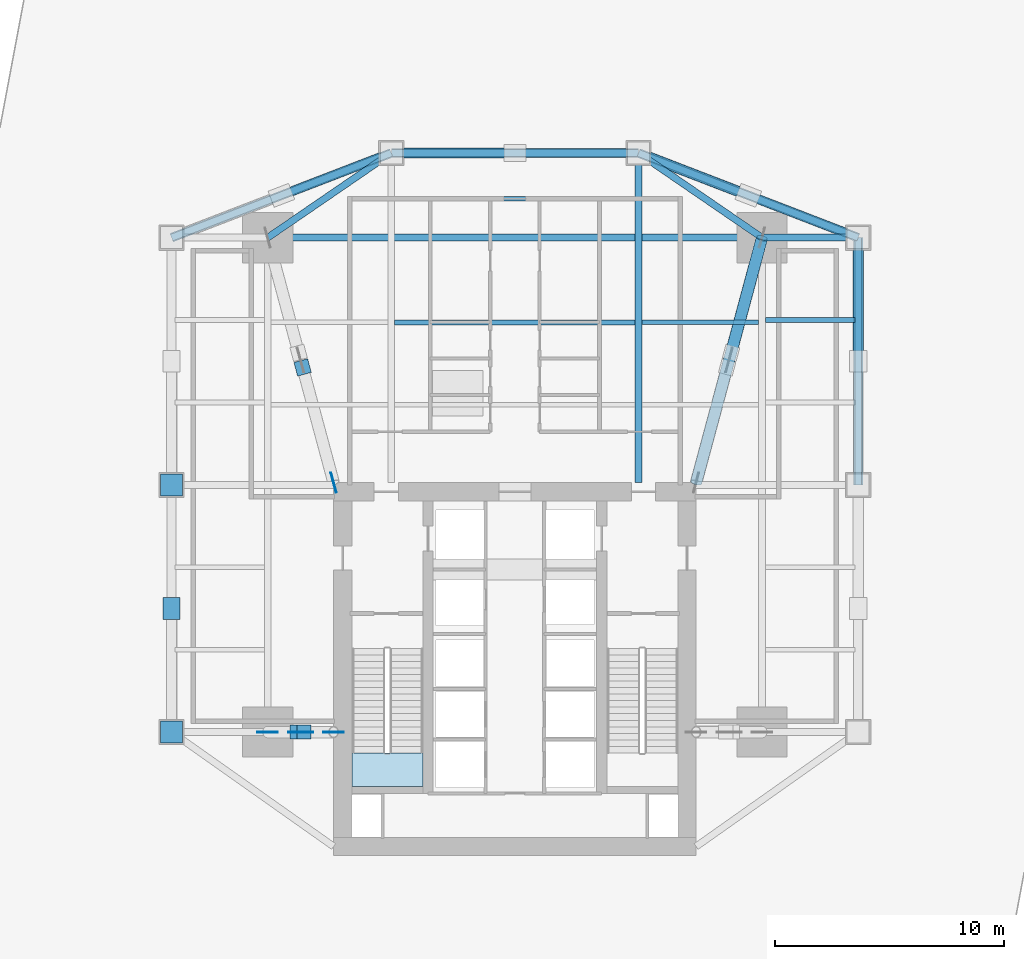
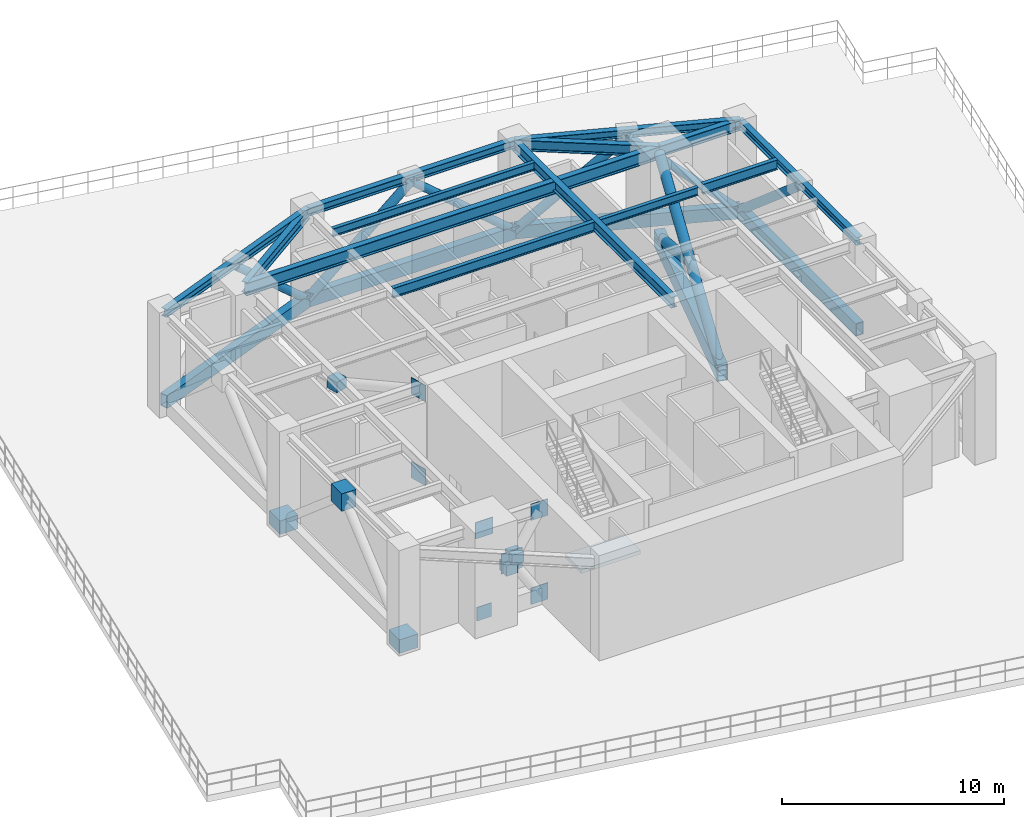
# One storey, part 2 of 10: 14 beams, 13 plates, 12 members, 1 slab, 1 element without a shape of its own.
"""IFC4 building model written with IfcOpenShell, lengths in metres."""

from ifc_helpers import new_model, si_unit, direction, frame, origin, origin_2d, place, context, subcontext, project, spatial, polyline, rectangle, hollow_rectangle, hollow_circle, i_section, outline, extrude, source, transform, mapped, material, layer, layer_set, material_profile, profile_set, type_object, type_shapes, element, aggregate, save


model = new_model("IFC4")

# Units and contexts
model_context = context("Model", 3, precision=1e-05, world=origin(), true_north=direction((0.0, 1.0)))
body_context = subcontext(model_context, "Body", "Model", "MODEL_VIEW")
ifc_project = project(units=[si_unit("LENGTHUNIT", "METRE"), si_unit("AREAUNIT", "SQUARE_METRE"), si_unit("VOLUMEUNIT", "CUBIC_METRE"), si_unit("PLANEANGLEUNIT", "RADIAN"), si_unit("MASSUNIT", "GRAM", prefix="KILO")], contexts=[model_context])

# Site, building, storey
site_placement = place(None, origin())
site = spatial("IfcSite", under=ifc_project, at=site_placement, CompositionType="ELEMENT")
building_placement = place(site_placement, origin())
building = spatial("IfcBuilding", under=site, at=building_placement, Name="Krantzveldt Concourse Tower", CompositionType="ELEMENT")
storey_placement = place(building_placement, frame((0.0, 0.0, 80.300048828125)))
storey = spatial("IfcBuildingStorey", under=building, at=storey_placement, Name="L19", CompositionType="ELEMENT", Elevation=80.300048828125)

# Beams
ifc_material_1 = material(Name="Steel S355J2", Category="steel")
ifc_material_profile_1 = material_profile(ifc_material_1, i_section(OverallWidth=0.300048828125, OverallDepth=0.699951171875, WebThickness=0.01708984375, FlangeThickness=0.031982421875, FilletRadius=0.027099609375, at=origin_2d()), Name="Steel S355J2", Category="steel")
ifc_profile_set_1 = profile_set([ifc_material_profile_1], Name="Steel S355J2 - HEB 700")
beam_type_1 = type_object("IfcBeamType", Name="BM-B-HEB700", PredefinedType="BEAM", material=ifc_profile_set_1)
shared_shape_1 = source(origin(), body_context, "Body", "SweptSolid", [
    extrude(i_section(OverallWidth=0.300048828125, OverallDepth=0.699951171875, WebThickness=0.01708984375, FlangeThickness=0.031982421875, FilletRadius=0.027099609375, at=origin_2d()), origin(), (0.0, 0.0, 1.0), 21.60009765625),
])
type_shapes(beam_type_1, [shared_shape_1])
beam_1_placement = place(storey_placement, frame((25.199951171875, 37.5, 5.169921875), z_axis=(1.0, 0.0, 0.0), x_axis=(0.0, 1.0, 0.0)))
element("IfcBeam", 1, at=beam_1_placement, inside=storey, type_object=beam_type_1, Name="L19 Tower Girder BG-MN", PredefinedType="BEAM", context=body_context, shape_type="MappedRepresentation", body=[
    mapped(shared_shape_1, transform((0.0, 0.0, 0.0), x_axis=(1.0, 0.0, 0.0), y_axis=(0.0, 1.0, 0.0), z_axis=(0.0, 0.0, 1.0), scale=1.0)),
])
ifc_material_2 = material(Name="Steel S355JR", Category="steel")
ifc_material_profile_2 = material_profile(ifc_material_2, i_section(OverallWidth=0.300048828125, OverallDepth=0.590087890625, WebThickness=0.012939453125, FlangeThickness=0.02490234375, FilletRadius=0.027099609375, at=origin_2d()), Name="Steel S355JR", Category="steel")
ifc_profile_set_2 = profile_set([ifc_material_profile_2], Name="Steel S355JR - HEA 600")
beam_type_2 = type_object("IfcBeamType", Name="BM-B-HEA600", PredefinedType="BEAM", material=ifc_profile_set_2)
shared_shape_2 = source(origin(), body_context, "Body", "SweptSolid", [
    extrude(i_section(OverallWidth=0.300048828125, OverallDepth=0.590087890625, WebThickness=0.012939453125, FlangeThickness=0.02490234375, FilletRadius=0.027099609375, at=origin_2d()), origin(), (0.0, 0.0, 1.0), 14.39990234375),
])
beam_2_placement = place(storey_placement, frame((41.39990234375, 26.800048828125, 5.224853515625), z_axis=(0.0, 1.0, 0.0), x_axis=(-1.0, 0.0, 0.0)))
element("IfcBeam", 2, at=beam_2_placement, inside=storey, type_object=beam_type_2, Name="L19 Tower Girder BG-CNE", PredefinedType="BEAM", context=body_context, shape_type="MappedRepresentation", body=[
    mapped(shared_shape_2, transform((0.0, 0.0, 0.0), x_axis=(1.0, 0.0, 0.0), y_axis=(0.0, 1.0, 0.0), z_axis=(0.0, 0.0, 1.0), scale=1.0)),
])
ifc_material_profile_3 = material_profile(ifc_material_2, i_section(OverallWidth=0.300048828125, OverallDepth=0.43994140625, WebThickness=0.011474609375, FlangeThickness=0.02099609375, FilletRadius=0.027099609375, at=origin_2d()), Name="Steel S355JR", Category="steel")
ifc_profile_set_3 = profile_set([ifc_material_profile_3], Name="Steel S355JR - HEA 450")
beam_type_3 = type_object("IfcBeamType", Name="BM-SP-HEA450", PredefinedType="SPANDREL", material=ifc_profile_set_3)
shared_shape_3 = source(origin(), body_context, "Body", "SweptSolid", [
    extrude(i_section(OverallWidth=0.300048828125, OverallDepth=0.43994140625, WebThickness=0.011474609375, FlangeThickness=0.02099609375, FilletRadius=0.027099609375, at=origin_2d()), origin(), (0.0, 0.0, 1.0), 10.800048828125),
])
beam_3_placement = place(storey_placement, frame((51.0, 37.5, 5.300048828125), z_axis=(0.0, -1.0, 0.0), x_axis=(1.0, 0.0, 0.0)))
element("IfcBeam", 3, at=beam_3_placement, inside=storey, type_object=beam_type_3, Name="L19 Tower Girder SP-R06", PredefinedType="SPANDREL", context=body_context, shape_type="MappedRepresentation", body=[
    mapped(shared_shape_3, transform((0.0, 0.0, 0.0), x_axis=(1.0, 0.0, 0.0), y_axis=(0.0, 1.0, 0.0), z_axis=(0.0, 0.0, 1.0), scale=1.0)),
])
shared_shape_4 = source(origin(), body_context, "Body", "SweptSolid", [
    extrude(i_section(OverallWidth=0.300048828125, OverallDepth=0.43994140625, WebThickness=0.011474609375, FlangeThickness=0.02099609375, FilletRadius=0.027099609375, at=origin_2d()), origin(), (0.0, 0.0, 1.0), 10.288330078125),
])
for number, where, z_axis, x_axis, name in (
    (4, (21.0, 37.5, 5.300048828125), (0.933097690408, 0.359622997257, 0.0), (-0.359622997257, 0.933097690408, 0.0), "L19 Tower Girder SP-R03"),
    (5, (41.39990234375, 41.199951171875, 5.300048828125), (0.933097690408, -0.359622997257, 0.0), (0.359622997257, 0.933097690408, 0.0), "L19 Tower Girder SP-R05"),
):
    element("IfcBeam", number, at=place(storey_placement, frame(where, z_axis=z_axis, x_axis=x_axis)), inside=storey, type_object=beam_type_3, Name=name, PredefinedType="SPANDREL", context=body_context, shape_type="MappedRepresentation", body=[
        mapped(shared_shape_4, transform((0.0, 0.0, 0.0), x_axis=(1.0, 0.0, 0.0), y_axis=(0.0, 1.0, 0.0), z_axis=(0.0, 0.0, 1.0), scale=1.0)),
    ])
shared_shape_5 = source(origin(), body_context, "Body", "SweptSolid", [
    extrude(i_section(OverallWidth=0.300048828125, OverallDepth=0.43994140625, WebThickness=0.011474609375, FlangeThickness=0.02099609375, FilletRadius=0.027099609375, at=origin_2d()), origin(), (0.0, 0.0, 1.0), 10.7998046875),
])
type_shapes(beam_type_3, [shared_shape_3, shared_shape_4, shared_shape_5])
beam_4_placement = place(storey_placement, frame((30.60009765625, 41.199951171875, 5.300048828125), z_axis=(1.0, 0.0, 0.0), x_axis=(0.0, 1.0, 0.0)))
element("IfcBeam", 6, at=beam_4_placement, inside=storey, type_object=beam_type_3, Name="L19 Tower Girder SP-R04", PredefinedType="SPANDREL", context=body_context, shape_type="MappedRepresentation", body=[
    mapped(shared_shape_5, transform((0.0, 0.0, 0.0), x_axis=(1.0, 0.0, 0.0), y_axis=(0.0, 1.0, 0.0), z_axis=(0.0, 0.0, 1.0), scale=1.0)),
])
shared_shape_6 = source(origin(), body_context, "Body", "SweptSolid", [
    extrude(i_section(OverallWidth=0.300048828125, OverallDepth=0.590087890625, WebThickness=0.012939453125, FlangeThickness=0.02490234375, FilletRadius=0.027099609375, at=origin_2d()), origin(), (0.0, 0.0, 1.0), 4.199951171875),
])
beam_5_placement = place(storey_placement, frame((46.800048828125, 37.5, 5.224853515625), z_axis=(1.0, 0.0, 0.0), x_axis=(0.0, 1.0, 0.0)))
element("IfcBeam", 7, at=beam_5_placement, inside=storey, type_object=beam_type_2, Name="L19 Tower Girder BR-RR3", PredefinedType="BEAM", context=body_context, shape_type="MappedRepresentation", body=[
    mapped(shared_shape_6, transform((0.0, 0.0, 0.0), x_axis=(1.0, 0.0, 0.0), y_axis=(0.0, 1.0, 0.0), z_axis=(0.0, 0.0, 1.0), scale=1.0)),
])
shared_shape_7 = source(origin(), body_context, "Body", "SweptSolid", [
    extrude(i_section(OverallWidth=0.300048828125, OverallDepth=0.590087890625, WebThickness=0.012939453125, FlangeThickness=0.02490234375, FilletRadius=0.027099609375, at=origin_2d()), origin(), (0.0, 0.0, 1.0), 6.546142578125),
])
type_shapes(beam_type_2, [shared_shape_2, shared_shape_6, shared_shape_7])
for number, where, z_axis, x_axis, name in (
    (8, (25.199951171875, 37.5, 5.224853515625), (0.824942999484, 0.565215930068, 0.0), (-0.565215930068, 0.824942999484, 0.0), "L19 Tower Girder BR-RL4"),
    (9, (46.800048828125, 37.5, 5.224853515625), (-0.824942999484, 0.565215930068, 0.0), (-0.565215930068, -0.824942999484, 0.0), "L19 Tower Girder BR-RR4"),
):
    element("IfcBeam", number, at=place(storey_placement, frame(where, z_axis=z_axis, x_axis=x_axis)), inside=storey, type_object=beam_type_2, Name=name, PredefinedType="BEAM", context=body_context, shape_type="MappedRepresentation", body=[
        mapped(shared_shape_7, transform((0.0, 0.0, 0.0), x_axis=(1.0, 0.0, 0.0), y_axis=(0.0, 1.0, 0.0), z_axis=(0.0, 0.0, 1.0), scale=1.0)),
    ])
ifc_material_profile_4 = material_profile(ifc_material_2, i_section(OverallWidth=0.2099609375, OverallDepth=0.550048828125, WebThickness=0.010986328125, FlangeThickness=0.01708984375, FilletRadius=0.02392578125, at=origin_2d()), Name="Steel S355JR", Category="steel")
ifc_profile_set_4 = profile_set([ifc_material_profile_4], Name="Steel S355JR - IPE 550")
beam_type_4 = type_object("IfcBeamType", Name="BM-J-IPE550", PredefinedType="JOIST", material=ifc_profile_set_4)
shared_shape_8 = source(origin(), body_context, "Body", "SweptSolid", [
    extrude(i_section(OverallWidth=0.2099609375, OverallDepth=0.550048828125, WebThickness=0.010986328125, FlangeThickness=0.01708984375, FilletRadius=0.02392578125, at=origin_2d()), origin(), (0.0, 0.0, 1.0), 10.5),
])
beam_6_placement = place(storey_placement, frame((30.75, 33.800048828125, 5.244873046875), z_axis=(1.0, 0.0, 0.0), x_axis=(0.0, 1.0, 0.0)))
element("IfcBeam", 10, at=beam_6_placement, inside=storey, type_object=beam_type_4, Name="L19 Secondary Floor Joist JN-C2", PredefinedType="JOIST", context=body_context, shape_type="MappedRepresentation", body=[
    mapped(shared_shape_8, transform((0.0, 0.0, 0.0), x_axis=(1.0, 0.0, 0.0), y_axis=(0.0, 1.0, 0.0), z_axis=(0.0, 0.0, 1.0), scale=1.0)),
])
ifc_material_profile_5 = material_profile(ifc_material_2, i_section(OverallWidth=0.18994140625, OverallDepth=0.449951171875, WebThickness=0.009521484375, FlangeThickness=0.0146484375, FilletRadius=0.02099609375, at=origin_2d()), Name="Steel S355JR", Category="steel")
ifc_profile_set_5 = profile_set([ifc_material_profile_5], Name="Steel S355JR - IPE 450")
beam_type_5 = type_object("IfcBeamType", Name="BM-J-IPE450", PredefinedType="JOIST", material=ifc_profile_set_5)
shared_shape_9 = source(origin(), body_context, "Body", "SweptSolid", [
    extrude(i_section(OverallWidth=0.18994140625, OverallDepth=0.449951171875, WebThickness=0.009521484375, FlangeThickness=0.0146484375, FilletRadius=0.02099609375, at=origin_2d()), origin(), (0.0, 0.0, 1.0), 10.5),
])
beam_7_placement = place(storey_placement, frame((30.75, 39.199951171875, 5.294921875), z_axis=(1.0, 0.0, 0.0), x_axis=(0.0, 1.0, 0.0)))
element("IfcBeam", 11, at=beam_7_placement, inside=storey, type_object=beam_type_5, Name="L19 Secondary Floor Joist JN-C3", PredefinedType="JOIST", context=body_context, shape_type="MappedRepresentation", body=[
    mapped(shared_shape_9, transform((0.0, 0.0, 0.0), x_axis=(1.0, 0.0, 0.0), y_axis=(0.0, 1.0, 0.0), z_axis=(0.0, 0.0, 1.0), scale=1.0)),
])
shared_shape_10 = source(origin(), body_context, "Body", "SweptSolid", [
    extrude(i_section(OverallWidth=0.18994140625, OverallDepth=0.449951171875, WebThickness=0.009521484375, FlangeThickness=0.0146484375, FilletRadius=0.02099609375, at=origin_2d()), origin(), (0.0, 0.0, 1.0), 5.099853515625),
])
type_shapes(beam_type_5, [shared_shape_9, shared_shape_10])
beam_8_placement = place(storey_placement, frame((41.550048828125, 33.800048828125, 5.294921875), z_axis=(1.0, 0.0, 0.0), x_axis=(0.0, 1.0, 0.0)))
element("IfcBeam", 12, at=beam_8_placement, inside=storey, type_object=beam_type_5, Name="L19 Secondary Floor Joist JN-E2", PredefinedType="JOIST", context=body_context, shape_type="MappedRepresentation", body=[
    mapped(shared_shape_10, transform((0.0, 0.0, 0.0), x_axis=(1.0, 0.0, 0.0), y_axis=(0.0, 1.0, 0.0), z_axis=(0.0, 0.0, 1.0), scale=1.0)),
])
shared_shape_11 = source(origin(), body_context, "Body", "SweptSolid", [
    extrude(i_section(OverallWidth=0.2099609375, OverallDepth=0.550048828125, WebThickness=0.010986328125, FlangeThickness=0.01708984375, FilletRadius=0.02392578125, at=origin_2d()), origin(), (0.0, 0.0, 1.0), 3.900146484375),
])
type_shapes(beam_type_4, [shared_shape_8, shared_shape_11])
beam_9_placement = place(storey_placement, frame((46.949951171875, 33.89990234375, 5.244873046875), z_axis=(1.0, 0.0, 0.0), x_axis=(0.0, 1.0, 0.0)))
element("IfcBeam", 13, at=beam_9_placement, inside=storey, type_object=beam_type_4, Name="L19 Secondary Floor Joist JE-4", PredefinedType="JOIST", context=body_context, shape_type="MappedRepresentation", body=[
    mapped(shared_shape_11, transform((0.0, 0.0, 0.0), x_axis=(1.0, 0.0, 0.0), y_axis=(0.0, 1.0, 0.0), z_axis=(0.0, 0.0, 1.0), scale=1.0)),
])
ifc_material_profile_6 = material_profile(ifc_material_1, hollow_rectangle(XDim=0.5, YDim=0.89990234375, WallThickness=0.044921875, at=origin_2d()), Name="Steel S355J2", Category="steel")
ifc_profile_set_6 = profile_set([ifc_material_profile_6], Name="Steel S355J2 - RHS 900x500x45")
beam_type_6 = type_object("IfcBeamType", Name="BM-OT-CHD900", PredefinedType="BEAM", material=ifc_profile_set_6)
shared_shape_12 = source(origin(), body_context, "Body", "SweptSolid", [
    extrude(hollow_rectangle(XDim=0.5, YDim=0.89990234375, WallThickness=0.044921875, at=origin_2d()), origin(), (0.0, 0.0, 1.0), 11.080810546875),
])
type_shapes(beam_type_6, [shared_shape_12])
beam_10_placement = place(storey_placement, frame((43.919921875, 26.800048828125, 0.449951171875), z_axis=(0.25992053364, 0.965630009989, 0.0), x_axis=(-0.965630009989, 0.25992053364, 0.0)))
element("IfcBeam", 14, at=beam_10_placement, inside=storey, type_object=beam_type_6, Name="OT-NE-L19-BC", PredefinedType="BEAM", context=body_context, shape_type="MappedRepresentation", body=[
    mapped(shared_shape_12, transform((0.0, 0.0, 0.0), x_axis=(1.0, 0.0, 0.0), y_axis=(0.0, 1.0, 0.0), z_axis=(0.0, 0.0, 1.0), scale=1.0)),
])

# Members
ifc_material_profile_7 = material_profile(ifc_material_1, hollow_circle(Radius=0.25390625, WallThickness=0.035888671875, at=origin_2d()), Name="Steel S355J2", Category="steel")
ifc_profile_set_7 = profile_set([ifc_material_profile_7], Name="Steel S355J2 - CHS 508x36")
member_type_1 = type_object("IfcMemberType", Name="MB-OB-CHS508", PredefinedType="BRACE", material=ifc_profile_set_7)
shared_shape_13 = source(origin(), body_context, "Body", "SweptSolid", [
    extrude(hollow_circle(Radius=0.25390625, WallThickness=0.035888671875, at=origin_2d()), origin(), (0.0, 0.0, 1.0), 12.00537109375),
])
member_1_placement = place(storey_placement, frame((43.919921875, 26.800048828125, 0.449951171875), z_axis=(0.239902673171, 0.891261715441, 0.384836669245), x_axis=(-0.965630009989, 0.25992053364, 0.0)))
element("IfcMember", 15, at=member_1_placement, inside=storey, type_object=member_type_1, Name="Brace Diagonal OT-NE-L19-D1", PredefinedType="BRACE", context=body_context, shape_type="MappedRepresentation", body=[
    mapped(shared_shape_13, transform((0.0, 0.0, 0.0), x_axis=(1.0, 0.0, 0.0), y_axis=(0.0, 1.0, 0.0), z_axis=(0.0, 0.0, 1.0), scale=1.0)),
])
shared_shape_14 = source(origin(), body_context, "Body", "SweptSolid", [
    extrude(hollow_circle(Radius=0.25390625, WallThickness=0.035888671875, at=origin_2d()), origin(), (0.0, 0.0, 1.0), 5.64501953125),
])
type_shapes(member_type_1, [shared_shape_13, shared_shape_14])
member_2_placement = place(storey_placement, frame((45.44580078125, 32.46875, 2.622314453125), z_axis=(0.239899958271, 0.891267052469, -0.384826001207), x_axis=(-0.965631138886, 0.259916339645, 0.0)))
element("IfcMember", 16, at=member_2_placement, inside=storey, type_object=member_type_1, Name="Brace Diagonal OT-NE-L19-D2B", PredefinedType="BRACE", context=body_context, shape_type="MappedRepresentation", body=[
    mapped(shared_shape_14, transform((0.0, 0.0, 0.0), x_axis=(1.0, 0.0, 0.0), y_axis=(0.0, 1.0, 0.0), z_axis=(0.0, 0.0, 1.0), scale=1.0)),
])
ifc_material_profile_8 = material_profile(ifc_material_1, hollow_rectangle(XDim=0.39990234375, YDim=0.699951171875, WallThickness=0.034912109375, at=origin_2d()), Name="Steel S355J2", Category="steel")
ifc_profile_set_8 = profile_set([ifc_material_profile_8], Name="Steel S355J2 - RHS 700x400x35")
member_type_2 = type_object("IfcMemberType", Name="MB-BC-RHS700", PredefinedType="CHORD", material=ifc_profile_set_8)
shared_shape_15 = source(origin(), body_context, "Body", "SweptSolid", [
    extrude(hollow_rectangle(XDim=0.39990234375, YDim=0.699951171875, WallThickness=0.034912109375, at=origin_2d()), origin(), (0.0, 0.0, 1.0), 10.800048828125),
])
member_3_placement = place(storey_placement, frame((51.0, 37.5, 0.449951171875), z_axis=(0.0, -1.0, 0.0), x_axis=(1.0, 0.0, 0.0)))
element("IfcMember", 17, at=member_3_placement, inside=storey, type_object=member_type_2, Name="BT-L19-BC-06", PredefinedType="CHORD", context=body_context, shape_type="MappedRepresentation", body=[
    mapped(shared_shape_15, transform((0.0, 0.0, 0.0), x_axis=(1.0, 0.0, 0.0), y_axis=(0.0, 1.0, 0.0), z_axis=(0.0, 0.0, 1.0), scale=1.0)),
])
ifc_material_profile_9 = material_profile(ifc_material_1, hollow_circle(Radius=0.203125, WallThickness=0.02490234375, at=origin_2d()), Name="Steel S355J2", Category="steel")
ifc_profile_set_9 = profile_set([ifc_material_profile_9], Name="Steel S355J2 - CHS 406.4x25")
member_type_3 = type_object("IfcMemberType", Name="MB-BB-CHS406", PredefinedType="BRACE", material=ifc_profile_set_9)
shared_shape_16 = source(origin(), body_context, "Body", "SweptSolid", [
    extrude(hollow_circle(Radius=0.203125, WallThickness=0.02490234375, at=origin_2d()), origin(), (0.0, 0.0, 1.0), 7.106689453125),
])
member_4_placement = place(storey_placement, frame((41.39990234375, 41.199951171875, 0.449951171875), z_axis=(-0.759838293269, 0.0, 0.650112119623), x_axis=(0.0, -1.0, 0.0)))
element("IfcMember", 18, at=member_4_placement, inside=storey, type_object=member_type_3, Name="Brace Diagonal BT-L19-D2-04", PredefinedType="BRACE", context=body_context, shape_type="MappedRepresentation", body=[
    mapped(shared_shape_16, transform((0.0, 0.0, 0.0), x_axis=(1.0, 0.0, 0.0), y_axis=(0.0, 1.0, 0.0), z_axis=(0.0, 0.0, 1.0), scale=1.0)),
])
shared_shape_17 = source(origin(), body_context, "Body", "SweptSolid", [
    extrude(hollow_rectangle(XDim=0.39990234375, YDim=0.699951171875, WallThickness=0.034912109375, at=origin_2d()), origin(), (0.0, 0.0, 1.0), 10.288330078125),
])
for number, where, z_axis, x_axis, name in (
    (19, (21.0, 37.5, 0.449951171875), (0.933097690408, 0.359622997257, 0.0), (-0.359622997257, 0.933097690408, 0.0), "BT-L19-BC-03"),
    (20, (41.39990234375, 41.199951171875, 0.449951171875), (0.933097690408, -0.359622997257, 0.0), (0.359622997257, 0.933097690408, 0.0), "BT-L19-BC-05"),
):
    element("IfcMember", number, at=place(storey_placement, frame(where, z_axis=z_axis, x_axis=x_axis)), inside=storey, type_object=member_type_2, Name=name, PredefinedType="CHORD", context=body_context, shape_type="MappedRepresentation", body=[
        mapped(shared_shape_17, transform((0.0, 0.0, 0.0), x_axis=(1.0, 0.0, 0.0), y_axis=(0.0, 1.0, 0.0), z_axis=(0.0, 0.0, 1.0), scale=1.0)),
    ])
ifc_material_profile_10 = material_profile(ifc_material_1, hollow_circle(Radius=0.228515625, WallThickness=0.030029296875, at=origin_2d()), Name="Steel S355J2", Category="steel")
ifc_profile_set_10 = profile_set([ifc_material_profile_10], Name="Steel S355J2 - CHS 457x30")
member_type_4 = type_object("IfcMemberType", Name="MB-BB-CHS457", PredefinedType="BRACE", material=ifc_profile_set_10)
shared_shape_18 = source(origin(), body_context, "Body", "SweptSolid", [
    extrude(hollow_circle(Radius=0.228515625, WallThickness=0.030029296875, at=origin_2d()), origin(), (0.0, 0.0, 1.0), 6.914306640625),
])
member_5_placement = place(storey_placement, frame((41.39990234375, 41.199951171875, 0.449951171875), z_axis=(0.694217852662, -0.267539223316, 0.668194834635), x_axis=(0.359602336258, 0.933105653052, 0.0)))
element("IfcMember", 21, at=member_5_placement, inside=storey, type_object=member_type_4, Name="Brace Diagonal BT-L19-D1-05", PredefinedType="BRACE", context=body_context, shape_type="MappedRepresentation", body=[
    mapped(shared_shape_18, transform((0.0, 0.0, 0.0), x_axis=(1.0, 0.0, 0.0), y_axis=(0.0, 1.0, 0.0), z_axis=(0.0, 0.0, 1.0), scale=1.0)),
])
shared_shape_19 = source(origin(), body_context, "Body", "SweptSolid", [
    extrude(hollow_circle(Radius=0.203125, WallThickness=0.02490234375, at=origin_2d()), origin(), (0.0, 0.0, 1.0), 6.914306640625),
])
type_shapes(member_type_3, [shared_shape_16, shared_shape_19])
for number, where, z_axis, x_axis, name in (
    (22, (30.60009765625, 41.199951171875, 0.449951171875), (-0.694217852662, -0.267539223316, 0.668194834635), (0.359602336258, -0.933105653052, 0.0), "Brace Diagonal BT-L19-D2-03"),
    (23, (51.0, 37.5, 0.449951171875), (-0.694211294291, 0.26757200489, 0.668188522108), (-0.359643657726, -0.933089727442, 0.0), "Brace Diagonal BT-L19-D2-05"),
):
    element("IfcMember", number, at=place(storey_placement, frame(where, z_axis=z_axis, x_axis=x_axis)), inside=storey, type_object=member_type_3, Name=name, PredefinedType="BRACE", context=body_context, shape_type="MappedRepresentation", body=[
        mapped(shared_shape_19, transform((0.0, 0.0, 0.0), x_axis=(1.0, 0.0, 0.0), y_axis=(0.0, 1.0, 0.0), z_axis=(0.0, 0.0, 1.0), scale=1.0)),
    ])
shared_shape_20 = source(origin(), body_context, "Body", "SweptSolid", [
    extrude(hollow_rectangle(XDim=0.39990234375, YDim=0.699951171875, WallThickness=0.034912109375, at=origin_2d()), origin(), (0.0, 0.0, 1.0), 10.7998046875),
])
type_shapes(member_type_2, [shared_shape_15, shared_shape_17, shared_shape_20])
member_6_placement = place(storey_placement, frame((30.60009765625, 41.199951171875, 0.449951171875), z_axis=(1.0, 0.0, 0.0), x_axis=(0.0, 1.0, 0.0)))
element("IfcMember", 24, at=member_6_placement, inside=storey, type_object=member_type_2, Name="BT-L19-BC-04", PredefinedType="CHORD", context=body_context, shape_type="MappedRepresentation", body=[
    mapped(shared_shape_20, transform((0.0, 0.0, 0.0), x_axis=(1.0, 0.0, 0.0), y_axis=(0.0, 1.0, 0.0), z_axis=(0.0, 0.0, 1.0), scale=1.0)),
])
shared_shape_21 = source(origin(), body_context, "Body", "SweptSolid", [
    extrude(hollow_circle(Radius=0.228515625, WallThickness=0.030029296875, at=origin_2d()), origin(), (0.0, 0.0, 1.0), 7.106689453125),
])
type_shapes(member_type_4, [shared_shape_18, shared_shape_21])
for number, where, z_axis, x_axis, name in (
    (25, (30.60009765625, 41.199951171875, 0.449951171875), (0.759838293269, 0.0, 0.650112119623), (0.0, 1.0, 0.0), "Brace Diagonal BT-L19-D1-04"),
    (26, (51.0, 37.5, 0.449951171875), (0.0, -0.759838293269, 0.650112119623), (1.0, 0.0, 0.0), "Brace Diagonal BT-L19-D1-06"),
):
    element("IfcMember", number, at=place(storey_placement, frame(where, z_axis=z_axis, x_axis=x_axis)), inside=storey, type_object=member_type_4, Name=name, PredefinedType="BRACE", context=body_context, shape_type="MappedRepresentation", body=[
        mapped(shared_shape_21, transform((0.0, 0.0, 0.0), x_axis=(1.0, 0.0, 0.0), y_axis=(0.0, 1.0, 0.0), z_axis=(0.0, 0.0, 1.0), scale=1.0)),
    ])

# Stair, slab
ifc_material_3 = material(Name="Precast concrete C40/50", Category="concrete")
stair_type = type_object("IfcStairType", Name="STR-CORE-DOGLEG", PredefinedType="HALF_TURN_STAIR", material=ifc_material_3)
stair_placement = place(storey_placement, origin())
stair = element("IfcStair", 27, at=stair_placement, inside=storey, type_object=stair_type, Name="L19 Protected Escape Stair ST-1", PredefinedType="HALF_TURN_STAIR")
ifc_layer_1 = layer(ifc_material_3, 0.199951171875, Name="Precast concrete C40/50", Category="concrete")
ifc_layer_set_1 = layer_set([ifc_layer_1], Name="Precast concrete C40/50 (SL-LANDING-200)")
slab_type = type_object("IfcSlabType", Name="SL-LANDING-200", PredefinedType="LANDING", material=ifc_layer_set_1)
slab_placement = place(storey_placement, frame((0.0, 0.0, 2.699951171875)))
slab = element("IfcSlab", 28, at=slab_placement, type_object=slab_type, Name="ST-1 landing 1", PredefinedType="LANDING", context=body_context, shape_type="SweptSolid", body=[
    extrude(outline(polyline([(28.8798828125, 14.989990234375), (28.8798828125, 13.52001953125), (31.97998046875, 13.52001953125), (31.97998046875, 14.989990234375), (28.8798828125, 14.989990234375)])), origin(), (0.0, 0.0, 1.0), 0.199951171875),
])
aggregate(stair, [slab])

# Plates
ifc_layer_2 = layer(ifc_material_1, 0.0400390625, Name="Steel S355J2", Category="steel")
ifc_layer_set_2 = layer_set([ifc_layer_2], Name="Steel S355J2 (PL-GUSSET-40)")
plate_type_1 = type_object("IfcPlateType", Name="PL-GUSSET-40", PredefinedType="USERDEFINED", material=ifc_layer_set_2)
shared_shape_22 = source(origin(), body_context, "Body", "SweptSolid", [
    extrude(rectangle(XDim=0.89990234375, YDim=0.0400390625, at=origin_2d()), origin(), (0.0, 0.0, 1.0), 0.89990234375),
])
type_shapes(plate_type_1, [shared_shape_22])
for number, where, z_axis, x_axis, name in (
    (29, (28.080078125, 15.89990234375, 0.0), (0.0, 0.0, 1.0), (1.0, 0.0, 0.0), "OT-SW-L19-GP1"),
    (30, (28.080078125, 15.89990234375, 4.6201171875), (0.0, 0.0, 1.0), (1.0, 0.0, 0.0), "OT-SW-L19-GP2"),
    (31, (25.199951171875, 15.89990234375, 4.6201171875), (0.0, 0.0, 1.0), (1.0, 0.0, 0.0), "OT-SW-L19-GP3"),
    (32, (28.080078125, 26.800048828125, 0.0), (0.0, 0.0, 1.0), (-0.259914686406, 0.965631583882, 0.0), "OT-NW-L19-GP1"),
    (33, (28.080078125, 26.800048828125, 4.6201171875), (0.0, 0.0, 1.0), (-0.259914686406, 0.965631583882, 0.0), "OT-NW-L19-GP2"),
):
    element("IfcPlate", number, at=place(storey_placement, frame(where, z_axis=z_axis, x_axis=x_axis)), inside=storey, type_object=plate_type_1, Name=name, ObjectType="GUSSET PLATE", PredefinedType="USERDEFINED", context=body_context, shape_type="MappedRepresentation", body=[
        mapped(shared_shape_22, transform((0.0, 0.0, 0.0), x_axis=(1.0, 0.0, 0.0), y_axis=(0.0, 1.0, 0.0), z_axis=(0.0, 0.0, 1.0), scale=1.0)),
    ])
ifc_layer_3 = layer(ifc_material_1, 0.0400390625, Name="Steel S355J2", Category="steel")
ifc_layer_set_3 = layer_set([ifc_layer_3], Name="Steel S355J2 (PL-GUSSET-X40)")
plate_type_2 = type_object("IfcPlateType", Name="PL-GUSSET-X40", PredefinedType="USERDEFINED", material=ifc_layer_set_3)
shared_shape_23 = source(origin(), body_context, "Body", "SweptSolid", [
    extrude(rectangle(XDim=1.10009765625, YDim=0.0400390625, at=origin_2d()), origin(), (0.0, 0.0, 1.0), 1.10009765625),
])
type_shapes(plate_type_2, [shared_shape_23])
plate_1_placement = place(storey_placement, frame((26.639892578125, 15.89990234375, 2.2099609375), z_axis=(0.0, 0.0, 1.0), x_axis=(1.0, 0.0, 0.0)))
element("IfcPlate", 34, at=plate_1_placement, inside=storey, type_object=plate_type_2, Name="L19 Outrigger X-Brace Crossing Node Plate OT-SW", ObjectType="GUSSET PLATE", PredefinedType="USERDEFINED", context=body_context, shape_type="MappedRepresentation", body=[
    mapped(shared_shape_23, transform((0.0, 0.0, 0.0), x_axis=(1.0, 0.0, 0.0), y_axis=(0.0, 1.0, 0.0), z_axis=(0.0, 0.0, 1.0), scale=1.0)),
])
ifc_layer_4 = layer(ifc_material_1, 0.034912109375, Name="Steel S355J2", Category="steel")
ifc_layer_set_4 = layer_set([ifc_layer_4], Name="Steel S355J2 (PL-ENDCAP-35)")
plate_type_3 = type_object("IfcPlateType", Name="PL-ENDCAP-35", PredefinedType="SHEET", material=ifc_layer_set_4)
shared_shape_24 = source(origin(), body_context, "Body", "SweptSolid", [
    extrude(rectangle(XDim=0.6201171875, YDim=0.6201171875, at=origin_2d()), origin(), (0.0, 0.0, 1.0), 0.580078125),
])
for number, where, z_axis, x_axis, name in (
    (35, (26.78955078125, 15.89990234375, 2.7099609375), (0.0, 0.0, 1.0), (1.0, 0.0, 0.0), "OT-SW-L19-ECA"),
    (36, (26.490234375, 15.89990234375, 2.229736328125), (0.0, 0.0, 1.0), (1.0, 0.0, 0.0), "OT-SW-L19-ECB"),
    (37, (26.725830078125, 31.831298828125, 2.607421875), (0.0, 0.0, 1.0), (-0.259914686406, 0.965631583882, 0.0), "OT-NW-L19-ECA"),
):
    element("IfcPlate", number, at=place(storey_placement, frame(where, z_axis=z_axis, x_axis=x_axis)), inside=storey, type_object=plate_type_3, Name=name, PredefinedType="SHEET", context=body_context, shape_type="MappedRepresentation", body=[
        mapped(shared_shape_24, transform((0.0, 0.0, 0.0), x_axis=(1.0, 0.0, 0.0), y_axis=(0.0, 1.0, 0.0), z_axis=(0.0, 0.0, 1.0), scale=1.0)),
    ])
shared_shape_25 = source(origin(), body_context, "Body", "SweptSolid", [
    extrude(rectangle(XDim=0.75, YDim=0.034912109375, at=origin_2d()), origin(), (0.0, 0.0, 1.0), 0.75),
])
type_shapes(plate_type_3, [shared_shape_24, shared_shape_25])
plate_2_placement = place(storey_placement, frame((25.199951171875, 15.89990234375, 0.074951171875), z_axis=(0.0, 0.0, 1.0), x_axis=(1.0, 0.0, 0.0)))
element("IfcPlate", 38, at=plate_2_placement, inside=storey, type_object=plate_type_3, Name="OT-SW-L19-EC", PredefinedType="SHEET", context=body_context, shape_type="MappedRepresentation", body=[
    mapped(shared_shape_25, transform((0.0, 0.0, 0.0), x_axis=(1.0, 0.0, 0.0), y_axis=(0.0, 1.0, 0.0), z_axis=(0.0, 0.0, 1.0), scale=1.0)),
])
ifc_layer_5 = layer(ifc_material_1, 0.0419921875, Name="Steel S355J2", Category="steel")
ifc_layer_set_5 = layer_set([ifc_layer_5], Name="Steel S355J2 (PL-GUSSET-EXT40)")
plate_type_4 = type_object("IfcPlateType", Name="PL-GUSSET-EXT40", PredefinedType="USERDEFINED", material=ifc_layer_set_5)
shared_shape_26 = source(origin(), body_context, "Body", "SweptSolid", [
    extrude(rectangle(XDim=0.9599609375, YDim=0.9599609375, at=origin_2d()), origin(), (0.0, 0.0, 1.0), 0.75),
])
for number, where, z_axis, x_axis, name in (
    (39, (21.0, 15.89990234375, 0.074951171875), (0.0, 0.0, 1.0), (1.0, 0.0, 0.0), "BT-L19-GPB-01"),
    (40, (21.0, 26.699951171875, 0.074951171875), (0.0, 0.0, 1.0), (1.0, 0.0, 0.0), "BT-L19-GPB-02"),
):
    element("IfcPlate", number, at=place(storey_placement, frame(where, z_axis=z_axis, x_axis=x_axis)), inside=storey, type_object=plate_type_4, Name=name, ObjectType="GUSSET PLATE", PredefinedType="USERDEFINED", context=body_context, shape_type="MappedRepresentation", body=[
        mapped(shared_shape_26, transform((0.0, 0.0, 0.0), x_axis=(1.0, 0.0, 0.0), y_axis=(0.0, 1.0, 0.0), z_axis=(0.0, 0.0, 1.0), scale=1.0)),
    ])
shared_shape_27 = source(origin(), body_context, "Body", "SweptSolid", [
    extrude(rectangle(XDim=0.9599609375, YDim=0.75, at=origin_2d()), origin(), (0.0, 0.0, 1.0), 0.9599609375),
])
type_shapes(plate_type_4, [shared_shape_26, shared_shape_27])
plate_3_placement = place(storey_placement, frame((21.0, 21.300048828125, 4.590087890625), z_axis=(0.0, 0.0, 1.0), x_axis=(0.0, 1.0, 0.0)))
element("IfcPlate", 41, at=plate_3_placement, inside=storey, type_object=plate_type_4, Name="BT-L19-GP-01", ObjectType="GUSSET PLATE", PredefinedType="USERDEFINED", context=body_context, shape_type="MappedRepresentation", body=[
    mapped(shared_shape_27, transform((0.0, 0.0, 0.0), x_axis=(1.0, 0.0, 0.0), y_axis=(0.0, 1.0, 0.0), z_axis=(0.0, 0.0, 1.0), scale=1.0)),
])

save(model, "model.ifc")
